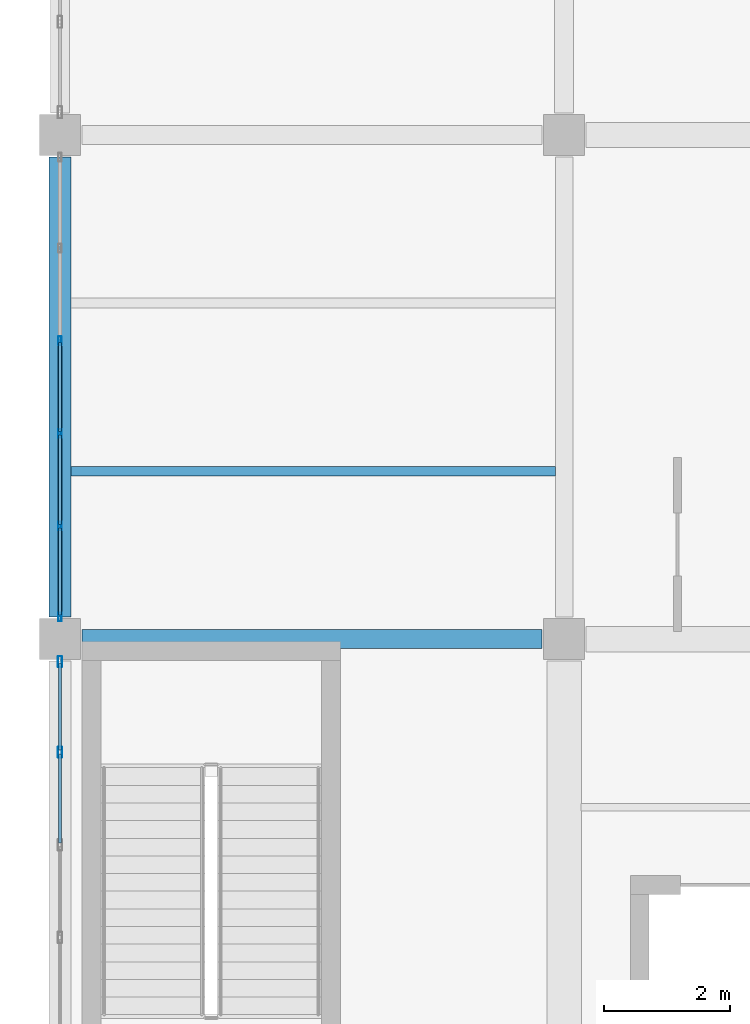
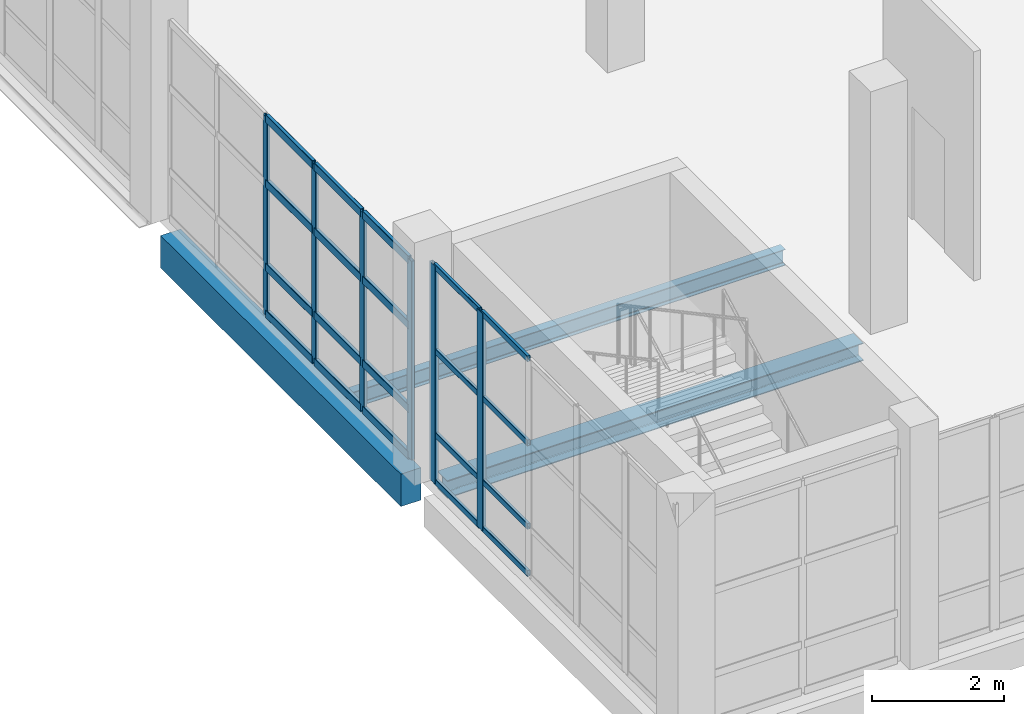
# One storey, part 14 of 183: 26 members, 3 beams, 2 elements without a shape of their own.
"""IFC4 building model written with IfcOpenShell, lengths in metres."""

from ifc_helpers import new_model, si_unit, direction, frame, origin, origin_2d, place, context, subcontext, project, spatial, rectangle, hollow_rectangle, i_section, extrude, material, material_profile, profile_set, type_object, element, aggregate, save


model = new_model("IFC4")

# Units and contexts
model_context = context("Model", 3, precision=1e-05, world=origin(), true_north=direction((0.0, 1.0)))
body_context = subcontext(model_context, "Body", "Model", "MODEL_VIEW")
ifc_project = project(units=[si_unit("LENGTHUNIT", "METRE"), si_unit("AREAUNIT", "SQUARE_METRE"), si_unit("VOLUMEUNIT", "CUBIC_METRE"), si_unit("PLANEANGLEUNIT", "RADIAN"), si_unit("MASSUNIT", "GRAM", prefix="KILO")], contexts=[model_context])

# Site, building, storey
site_placement = place(None, origin())
site = spatial("IfcSite", under=ifc_project, at=site_placement, CompositionType="ELEMENT")
building_placement = place(site_placement, origin())
building = spatial("IfcBuilding", under=site, at=building_placement, Name="Luwemba Playhouse", CompositionType="ELEMENT")
storey_placement = place(building_placement, frame((0.0, 0.0, 4.800048828125)))
storey = spatial("IfcBuildingStorey", under=building, at=storey_placement, Name="L01", CompositionType="ELEMENT", Elevation=4.800048828125)

# Beams
ifc_material_1 = material(Name="Steel S355", Category="steel")
ifc_material_profile_1 = material_profile(ifc_material_1, i_section(OverallWidth=0.300048828125, OverallDepth=0.330078125, WebThickness=0.009521484375, FlangeThickness=0.0166015625, FilletRadius=0.027099609375, at=origin_2d()))
ifc_profile_set_1 = profile_set([ifc_material_profile_1], Name="Steel S355")
beam_type_1 = type_object("IfcBeamType", Name="BM-SB04", PredefinedType="BEAM", material=ifc_profile_set_1)
beam_1_placement = place(storey_placement, frame((4.35009765625, 11.0, -0.4150390625), z_axis=(1.0, 0.0, 0.0), x_axis=(0.0, 1.0, 0.0)))
element("IfcBeam", 1, at=beam_1_placement, inside=storey, type_object=beam_type_1, Name="L01 grid girder 0475", PredefinedType="BEAM", context=body_context, shape_type="SweptSolid", body=[
    extrude(i_section(OverallWidth=0.300048828125, OverallDepth=0.330078125, WebThickness=0.009521484375, FlangeThickness=0.0166015625, FilletRadius=0.027099609375, at=origin_2d()), origin(), (0.0, 0.0, 1.0), 7.2998046875),
])
ifc_material_profile_2 = material_profile(ifc_material_1, i_section(OverallWidth=0.14990234375, OverallDepth=0.300048828125, WebThickness=0.007080078125, FlangeThickness=0.0107421875, FilletRadius=0.014892578125, at=origin_2d()))
ifc_profile_set_2 = profile_set([ifc_material_profile_2], Name="Steel S355")
beam_type_2 = type_object("IfcBeamType", Name="BM-SJ05", PredefinedType="JOIST", material=ifc_profile_set_2)
beam_2_placement = place(storey_placement, frame((4.1708984375, 13.666748046875, -0.400146484375), z_axis=(1.0, 0.0, 0.0), x_axis=(0.0, 1.0, 0.0)))
element("IfcBeam", 2, at=beam_2_placement, inside=storey, type_object=beam_type_2, Name="L01 composite floor joist 0276", PredefinedType="JOIST", context=body_context, shape_type="SweptSolid", body=[
    extrude(i_section(OverallWidth=0.14990234375, OverallDepth=0.300048828125, WebThickness=0.007080078125, FlangeThickness=0.0107421875, FilletRadius=0.014892578125, at=origin_2d()), origin(), (0.0, 0.0, 1.0), 7.693115234375),
])
ifc_material_2 = material(Name="Concrete C40/50", Category="concrete")
ifc_material_profile_3 = material_profile(ifc_material_2, rectangle(XDim=0.35009765625, YDim=0.60009765625, at=origin_2d()))
ifc_profile_set_3 = profile_set([ifc_material_profile_3], Name="Concrete C40/50")
beam_type_3 = type_object("IfcBeamType", Name="BM-SP3", PredefinedType="SPANDREL", material=ifc_profile_set_3)
beam_3_placement = place(storey_placement, frame((4.0, 11.35009765625, -0.550048828125), z_axis=(0.0, 1.0, 0.0), x_axis=(-1.0, 0.0, 0.0)))
element("IfcBeam", 3, at=beam_3_placement, inside=storey, type_object=beam_type_3, Name="L01 transverse girder 0497", PredefinedType="SPANDREL", context=body_context, shape_type="SweptSolid", body=[
    extrude(rectangle(XDim=0.35009765625, YDim=0.60009765625, at=origin_2d()), origin(), (0.0, 0.0, 1.0), 7.2998046875),
])

# Curtain wall, members
ifc_material_3 = material(Name="Solar-control double glazing", Category="glass")
curtain_wall_type_1 = type_object("IfcCurtainWallType", Name="CW-CW89", PredefinedType="USERDEFINED", material=ifc_material_3)
curtain_wall_1_placement = place(storey_placement, origin())
curtain_wall_1 = element("IfcCurtainWall", 4, at=curtain_wall_1_placement, inside=storey, type_object=curtain_wall_type_1, Name="L01 V5W unitised curtain wall 119", ObjectType="UNITISED GLAZING", PredefinedType="USERDEFINED")
ifc_material_4 = material(Name="Aluminium 6063-T6", Category="aluminium")
ifc_material_profile_4 = material_profile(ifc_material_4, hollow_rectangle(XDim=0.06494140625, YDim=0.179931640625, WallThickness=0.00439453125, InnerFilletRadius=0.0068359375, OuterFilletRadius=0.01123046875, at=origin_2d()))
ifc_profile_set_4 = profile_set([ifc_material_profile_4], Name="Aluminium 6063-T6")
member_type_1 = type_object("IfcMemberType", Name="CWM-M2", PredefinedType="MULLION", material=ifc_profile_set_4)
member_1_placement = place(storey_placement, frame((4.0, 9.205078125, 0.0), z_axis=(0.0, 0.0, 1.0), x_axis=(-1.0, 0.0, 0.0)))
member_1 = element("IfcMember", 5, at=member_1_placement, type_object=member_type_1, Name="CW89 mullion 5", PredefinedType="MULLION", context=body_context, shape_type="SweptSolid", body=[
    extrude(hollow_rectangle(XDim=0.06494140625, YDim=0.179931640625, WallThickness=0.00439453125, InnerFilletRadius=0.0068359375, OuterFilletRadius=0.01123046875, at=origin_2d()), origin(), (0.0, 0.0, 1.0), 4.034912109375),
])
member_2_placement = place(storey_placement, frame((4.0, 10.642578125, 0.0), z_axis=(0.0, 0.0, 1.0), x_axis=(-1.0, 0.0, 0.0)))
member_2 = element("IfcMember", 6, at=member_2_placement, type_object=member_type_1, Name="CW89 mullion 6", PredefinedType="MULLION", context=body_context, shape_type="SweptSolid", body=[
    extrude(hollow_rectangle(XDim=0.06494140625, YDim=0.179931640625, WallThickness=0.00439453125, InnerFilletRadius=0.0068359375, OuterFilletRadius=0.01123046875, at=origin_2d()), origin(), (0.0, 0.0, 1.0), 4.034912109375),
])

curtain_wall_type_2 = type_object("IfcCurtainWallType", Name="CW-CW90", PredefinedType="USERDEFINED", material=ifc_material_3)
curtain_wall_2_placement = place(storey_placement, origin())
curtain_wall_2 = element("IfcCurtainWall", 7, at=curtain_wall_2_placement, inside=storey, type_object=curtain_wall_type_2, Name="L01 V5W unitised curtain wall 120", ObjectType="UNITISED GLAZING", PredefinedType="USERDEFINED")
ifc_material_profile_5 = material_profile(ifc_material_4, hollow_rectangle(XDim=0.054931640625, YDim=0.139892578125, WallThickness=0.00390625, InnerFilletRadius=0.006103515625, OuterFilletRadius=0.010009765625, at=origin_2d()))
ifc_profile_set_5 = profile_set([ifc_material_profile_5], Name="Aluminium 6063-T6")
member_type_2 = type_object("IfcMemberType", Name="CWM-M3", PredefinedType="MULLION", material=ifc_profile_set_5)
member_3_placement = place(storey_placement, frame((4.0, 11.3525390625, 0.0), z_axis=(0.0, 0.0, 1.0), x_axis=(-1.0, 0.0, 0.0)))
member_3 = element("IfcMember", 8, at=member_3_placement, type_object=member_type_2, Name="CW90 mullion 1", PredefinedType="MULLION", context=body_context, shape_type="SweptSolid", body=[
    extrude(hollow_rectangle(XDim=0.054931640625, YDim=0.139892578125, WallThickness=0.00390625, InnerFilletRadius=0.006103515625, OuterFilletRadius=0.010009765625, at=origin_2d()), origin(), (0.0, 0.0, 1.0), 3.68505859375),
])
member_4_placement = place(storey_placement, frame((4.0, 12.794921875, 0.0), z_axis=(0.0, 0.0, 1.0), x_axis=(-1.0, 0.0, 0.0)))
member_4 = element("IfcMember", 9, at=member_4_placement, type_object=member_type_2, Name="CW90 mullion 2", PredefinedType="MULLION", context=body_context, shape_type="SweptSolid", body=[
    extrude(hollow_rectangle(XDim=0.054931640625, YDim=0.139892578125, WallThickness=0.00390625, InnerFilletRadius=0.006103515625, OuterFilletRadius=0.010009765625, at=origin_2d()), origin(), (0.0, 0.0, 1.0), 3.68505859375),
])
member_5_placement = place(storey_placement, frame((4.0, 14.264892578125, 0.0), z_axis=(0.0, 0.0, 1.0), x_axis=(-1.0, 0.0, 0.0)))
member_5 = element("IfcMember", 10, at=member_5_placement, type_object=member_type_2, Name="CW90 mullion 3", PredefinedType="MULLION", context=body_context, shape_type="SweptSolid", body=[
    extrude(hollow_rectangle(XDim=0.054931640625, YDim=0.139892578125, WallThickness=0.00390625, InnerFilletRadius=0.006103515625, OuterFilletRadius=0.010009765625, at=origin_2d()), origin(), (0.0, 0.0, 1.0), 3.68505859375),
])
member_6_placement = place(storey_placement, frame((4.0, 15.735107421875, 0.0), z_axis=(0.0, 0.0, 1.0), x_axis=(-1.0, 0.0, 0.0)))
member_6 = element("IfcMember", 11, at=member_6_placement, type_object=member_type_2, Name="CW90 mullion 4", PredefinedType="MULLION", context=body_context, shape_type="SweptSolid", body=[
    extrude(hollow_rectangle(XDim=0.054931640625, YDim=0.139892578125, WallThickness=0.00390625, InnerFilletRadius=0.006103515625, OuterFilletRadius=0.010009765625, at=origin_2d()), origin(), (0.0, 0.0, 1.0), 3.68505859375),
])

# Member
ifc_material_profile_6 = material_profile(ifc_material_4, hollow_rectangle(XDim=0.054931640625, YDim=0.110107421875, WallThickness=0.00341796875, InnerFilletRadius=0.00537109375, OuterFilletRadius=0.0087890625, at=origin_2d()))
ifc_profile_set_6 = profile_set([ifc_material_profile_6], Name="Aluminium 6063-T6")
member_type_3 = type_object("IfcMemberType", Name="CWT-T2", PredefinedType="USERDEFINED", material=ifc_profile_set_6)
member_7_placement = place(storey_placement, frame((4.0, 7.767578125, 0.02734375), z_axis=(0.0, 1.0, 0.0), x_axis=(-1.0, 0.0, 0.0)))
member_7 = element("IfcMember", 12, at=member_7_placement, type_object=member_type_3, Name="CW89 transom 4.1", ObjectType="TRANSOM", PredefinedType="USERDEFINED", context=body_context, shape_type="SweptSolid", body=[
    extrude(hollow_rectangle(XDim=0.054931640625, YDim=0.110107421875, WallThickness=0.00341796875, InnerFilletRadius=0.00537109375, OuterFilletRadius=0.0087890625, at=origin_2d()), origin(), (0.0, 0.0, 1.0), 1.405029296875),
])

member_8_placement = place(storey_placement, frame((4.0, 7.767578125, 0.89990234375), z_axis=(0.0, 1.0, 0.0), x_axis=(-1.0, 0.0, 0.0)))
member_8 = element("IfcMember", 13, at=member_8_placement, type_object=member_type_3, Name="CW89 transom 4.2", ObjectType="TRANSOM", PredefinedType="USERDEFINED", context=body_context, shape_type="SweptSolid", body=[
    extrude(hollow_rectangle(XDim=0.054931640625, YDim=0.110107421875, WallThickness=0.00341796875, InnerFilletRadius=0.00537109375, OuterFilletRadius=0.0087890625, at=origin_2d()), origin(), (0.0, 0.0, 1.0), 1.405029296875),
])

member_9_placement = place(storey_placement, frame((4.0, 7.767578125, 2.449951171875), z_axis=(0.0, 1.0, 0.0), x_axis=(-1.0, 0.0, 0.0)))
member_9 = element("IfcMember", 14, at=member_9_placement, type_object=member_type_3, Name="CW89 transom 4.3", ObjectType="TRANSOM", PredefinedType="USERDEFINED", context=body_context, shape_type="SweptSolid", body=[
    extrude(hollow_rectangle(XDim=0.054931640625, YDim=0.110107421875, WallThickness=0.00341796875, InnerFilletRadius=0.00537109375, OuterFilletRadius=0.0087890625, at=origin_2d()), origin(), (0.0, 0.0, 1.0), 1.405029296875),
])

member_10_placement = place(storey_placement, frame((4.0, 7.767578125, 4.007568359375), z_axis=(0.0, 1.0, 0.0), x_axis=(-1.0, 0.0, 0.0)))
member_10 = element("IfcMember", 15, at=member_10_placement, type_object=member_type_3, Name="CW89 transom 4.4", ObjectType="TRANSOM", PredefinedType="USERDEFINED", context=body_context, shape_type="SweptSolid", body=[
    extrude(hollow_rectangle(XDim=0.054931640625, YDim=0.110107421875, WallThickness=0.00341796875, InnerFilletRadius=0.00537109375, OuterFilletRadius=0.0087890625, at=origin_2d()), origin(), (0.0, 0.0, 1.0), 1.405029296875),
])

member_11_placement = place(storey_placement, frame((4.0, 9.237548828125, 0.02734375), z_axis=(0.0, 1.0, 0.0), x_axis=(-1.0, 0.0, 0.0)))
member_11 = element("IfcMember", 16, at=member_11_placement, type_object=member_type_3, Name="CW89 transom 5.1", ObjectType="TRANSOM", PredefinedType="USERDEFINED", context=body_context, shape_type="SweptSolid", body=[
    extrude(hollow_rectangle(XDim=0.054931640625, YDim=0.110107421875, WallThickness=0.00341796875, InnerFilletRadius=0.00537109375, OuterFilletRadius=0.0087890625, at=origin_2d()), origin(), (0.0, 0.0, 1.0), 1.37255859375),
])

member_12_placement = place(storey_placement, frame((4.0, 9.237548828125, 0.89990234375), z_axis=(0.0, 1.0, 0.0), x_axis=(-1.0, 0.0, 0.0)))
member_12 = element("IfcMember", 17, at=member_12_placement, type_object=member_type_3, Name="CW89 transom 5.2", ObjectType="TRANSOM", PredefinedType="USERDEFINED", context=body_context, shape_type="SweptSolid", body=[
    extrude(hollow_rectangle(XDim=0.054931640625, YDim=0.110107421875, WallThickness=0.00341796875, InnerFilletRadius=0.00537109375, OuterFilletRadius=0.0087890625, at=origin_2d()), origin(), (0.0, 0.0, 1.0), 1.37255859375),
])

member_13_placement = place(storey_placement, frame((4.0, 9.237548828125, 2.449951171875), z_axis=(0.0, 1.0, 0.0), x_axis=(-1.0, 0.0, 0.0)))
member_13 = element("IfcMember", 18, at=member_13_placement, type_object=member_type_3, Name="CW89 transom 5.3", ObjectType="TRANSOM", PredefinedType="USERDEFINED", context=body_context, shape_type="SweptSolid", body=[
    extrude(hollow_rectangle(XDim=0.054931640625, YDim=0.110107421875, WallThickness=0.00341796875, InnerFilletRadius=0.00537109375, OuterFilletRadius=0.0087890625, at=origin_2d()), origin(), (0.0, 0.0, 1.0), 1.37255859375),
])

member_14_placement = place(storey_placement, frame((4.0, 9.237548828125, 4.007568359375), z_axis=(0.0, 1.0, 0.0), x_axis=(-1.0, 0.0, 0.0)))
member_14 = element("IfcMember", 19, at=member_14_placement, type_object=member_type_3, Name="CW89 transom 5.4", ObjectType="TRANSOM", PredefinedType="USERDEFINED", context=body_context, shape_type="SweptSolid", body=[
    extrude(hollow_rectangle(XDim=0.054931640625, YDim=0.110107421875, WallThickness=0.00341796875, InnerFilletRadius=0.00537109375, OuterFilletRadius=0.0087890625, at=origin_2d()), origin(), (0.0, 0.0, 1.0), 1.37255859375),
])

aggregate(curtain_wall_1, [member_1, member_2, member_7, member_8, member_9, member_10, member_11, member_12, member_13, member_14])

ifc_material_profile_7 = material_profile(ifc_material_4, hollow_rectangle(XDim=0.06494140625, YDim=0.14990234375, WallThickness=0.00390625, InnerFilletRadius=0.006103515625, OuterFilletRadius=0.010009765625, at=origin_2d()))
ifc_profile_set_7 = profile_set([ifc_material_profile_7], Name="Aluminium 6063-T6")
member_type_4 = type_object("IfcMemberType", Name="CWT-T3", PredefinedType="USERDEFINED", material=ifc_profile_set_7)
member_15_placement = place(storey_placement, frame((4.0, 11.3798828125, 0.032470703125), z_axis=(0.0, 1.0, 0.0), x_axis=(-1.0, 0.0, 0.0)))
member_15 = element("IfcMember", 20, at=member_15_placement, type_object=member_type_4, Name="CW90 transom 1.1", ObjectType="TRANSOM", PredefinedType="USERDEFINED", context=body_context, shape_type="SweptSolid", body=[
    extrude(hollow_rectangle(XDim=0.06494140625, YDim=0.14990234375, WallThickness=0.00390625, InnerFilletRadius=0.006103515625, OuterFilletRadius=0.010009765625, at=origin_2d()), origin(), (0.0, 0.0, 1.0), 1.3876953125),
])

member_16_placement = place(storey_placement, frame((4.0, 11.3798828125, 0.89990234375), z_axis=(0.0, 1.0, 0.0), x_axis=(-1.0, 0.0, 0.0)))
member_16 = element("IfcMember", 21, at=member_16_placement, type_object=member_type_4, Name="CW90 transom 1.2", ObjectType="TRANSOM", PredefinedType="USERDEFINED", context=body_context, shape_type="SweptSolid", body=[
    extrude(hollow_rectangle(XDim=0.06494140625, YDim=0.14990234375, WallThickness=0.00390625, InnerFilletRadius=0.006103515625, OuterFilletRadius=0.010009765625, at=origin_2d()), origin(), (0.0, 0.0, 1.0), 1.3876953125),
])

member_17_placement = place(storey_placement, frame((4.0, 11.3798828125, 2.449951171875), z_axis=(0.0, 1.0, 0.0), x_axis=(-1.0, 0.0, 0.0)))
member_17 = element("IfcMember", 22, at=member_17_placement, type_object=member_type_4, Name="CW90 transom 1.3", ObjectType="TRANSOM", PredefinedType="USERDEFINED", context=body_context, shape_type="SweptSolid", body=[
    extrude(hollow_rectangle(XDim=0.06494140625, YDim=0.14990234375, WallThickness=0.00390625, InnerFilletRadius=0.006103515625, OuterFilletRadius=0.010009765625, at=origin_2d()), origin(), (0.0, 0.0, 1.0), 1.3876953125),
])

member_18_placement = place(storey_placement, frame((4.0, 11.3798828125, 3.65234375), z_axis=(0.0, 1.0, 0.0), x_axis=(-1.0, 0.0, 0.0)))
member_18 = element("IfcMember", 23, at=member_18_placement, type_object=member_type_4, Name="CW90 transom 1.4", ObjectType="TRANSOM", PredefinedType="USERDEFINED", context=body_context, shape_type="SweptSolid", body=[
    extrude(hollow_rectangle(XDim=0.06494140625, YDim=0.14990234375, WallThickness=0.00390625, InnerFilletRadius=0.006103515625, OuterFilletRadius=0.010009765625, at=origin_2d()), origin(), (0.0, 0.0, 1.0), 1.3876953125),
])

member_19_placement = place(storey_placement, frame((4.0, 12.822509765625, 0.032470703125), z_axis=(0.0, 1.0, 0.0), x_axis=(-1.0, 0.0, 0.0)))
member_19 = element("IfcMember", 24, at=member_19_placement, type_object=member_type_4, Name="CW90 transom 2.1", ObjectType="TRANSOM", PredefinedType="USERDEFINED", context=body_context, shape_type="SweptSolid", body=[
    extrude(hollow_rectangle(XDim=0.06494140625, YDim=0.14990234375, WallThickness=0.00390625, InnerFilletRadius=0.006103515625, OuterFilletRadius=0.010009765625, at=origin_2d()), origin(), (0.0, 0.0, 1.0), 1.4150390625),
])

member_20_placement = place(storey_placement, frame((4.0, 12.822509765625, 0.89990234375), z_axis=(0.0, 1.0, 0.0), x_axis=(-1.0, 0.0, 0.0)))
member_20 = element("IfcMember", 25, at=member_20_placement, type_object=member_type_4, Name="CW90 transom 2.2", ObjectType="TRANSOM", PredefinedType="USERDEFINED", context=body_context, shape_type="SweptSolid", body=[
    extrude(hollow_rectangle(XDim=0.06494140625, YDim=0.14990234375, WallThickness=0.00390625, InnerFilletRadius=0.006103515625, OuterFilletRadius=0.010009765625, at=origin_2d()), origin(), (0.0, 0.0, 1.0), 1.4150390625),
])

member_21_placement = place(storey_placement, frame((4.0, 12.822509765625, 2.449951171875), z_axis=(0.0, 1.0, 0.0), x_axis=(-1.0, 0.0, 0.0)))
member_21 = element("IfcMember", 26, at=member_21_placement, type_object=member_type_4, Name="CW90 transom 2.3", ObjectType="TRANSOM", PredefinedType="USERDEFINED", context=body_context, shape_type="SweptSolid", body=[
    extrude(hollow_rectangle(XDim=0.06494140625, YDim=0.14990234375, WallThickness=0.00390625, InnerFilletRadius=0.006103515625, OuterFilletRadius=0.010009765625, at=origin_2d()), origin(), (0.0, 0.0, 1.0), 1.4150390625),
])

member_22_placement = place(storey_placement, frame((4.0, 12.822509765625, 3.65234375), z_axis=(0.0, 1.0, 0.0), x_axis=(-1.0, 0.0, 0.0)))
member_22 = element("IfcMember", 27, at=member_22_placement, type_object=member_type_4, Name="CW90 transom 2.4", ObjectType="TRANSOM", PredefinedType="USERDEFINED", context=body_context, shape_type="SweptSolid", body=[
    extrude(hollow_rectangle(XDim=0.06494140625, YDim=0.14990234375, WallThickness=0.00390625, InnerFilletRadius=0.006103515625, OuterFilletRadius=0.010009765625, at=origin_2d()), origin(), (0.0, 0.0, 1.0), 1.4150390625),
])

member_23_placement = place(storey_placement, frame((4.0, 14.29248046875, 0.032470703125), z_axis=(0.0, 1.0, 0.0), x_axis=(-1.0, 0.0, 0.0)))
member_23 = element("IfcMember", 28, at=member_23_placement, type_object=member_type_4, Name="CW90 transom 3.1", ObjectType="TRANSOM", PredefinedType="USERDEFINED", context=body_context, shape_type="SweptSolid", body=[
    extrude(hollow_rectangle(XDim=0.06494140625, YDim=0.14990234375, WallThickness=0.00390625, InnerFilletRadius=0.006103515625, OuterFilletRadius=0.010009765625, at=origin_2d()), origin(), (0.0, 0.0, 1.0), 1.4150390625),
])

member_24_placement = place(storey_placement, frame((4.0, 14.29248046875, 0.89990234375), z_axis=(0.0, 1.0, 0.0), x_axis=(-1.0, 0.0, 0.0)))
member_24 = element("IfcMember", 29, at=member_24_placement, type_object=member_type_4, Name="CW90 transom 3.2", ObjectType="TRANSOM", PredefinedType="USERDEFINED", context=body_context, shape_type="SweptSolid", body=[
    extrude(hollow_rectangle(XDim=0.06494140625, YDim=0.14990234375, WallThickness=0.00390625, InnerFilletRadius=0.006103515625, OuterFilletRadius=0.010009765625, at=origin_2d()), origin(), (0.0, 0.0, 1.0), 1.4150390625),
])

member_25_placement = place(storey_placement, frame((4.0, 14.29248046875, 2.449951171875), z_axis=(0.0, 1.0, 0.0), x_axis=(-1.0, 0.0, 0.0)))
member_25 = element("IfcMember", 30, at=member_25_placement, type_object=member_type_4, Name="CW90 transom 3.3", ObjectType="TRANSOM", PredefinedType="USERDEFINED", context=body_context, shape_type="SweptSolid", body=[
    extrude(hollow_rectangle(XDim=0.06494140625, YDim=0.14990234375, WallThickness=0.00390625, InnerFilletRadius=0.006103515625, OuterFilletRadius=0.010009765625, at=origin_2d()), origin(), (0.0, 0.0, 1.0), 1.4150390625),
])

member_26_placement = place(storey_placement, frame((4.0, 14.29248046875, 3.65234375), z_axis=(0.0, 1.0, 0.0), x_axis=(-1.0, 0.0, 0.0)))
member_26 = element("IfcMember", 31, at=member_26_placement, type_object=member_type_4, Name="CW90 transom 3.4", ObjectType="TRANSOM", PredefinedType="USERDEFINED", context=body_context, shape_type="SweptSolid", body=[
    extrude(hollow_rectangle(XDim=0.06494140625, YDim=0.14990234375, WallThickness=0.00390625, InnerFilletRadius=0.006103515625, OuterFilletRadius=0.010009765625, at=origin_2d()), origin(), (0.0, 0.0, 1.0), 1.4150390625),
])

aggregate(curtain_wall_2, [member_3, member_4, member_5, member_6, member_15, member_16, member_17, member_18, member_19, member_20, member_21, member_22, member_23, member_24, member_25, member_26])

save(model, "model.ifc")
